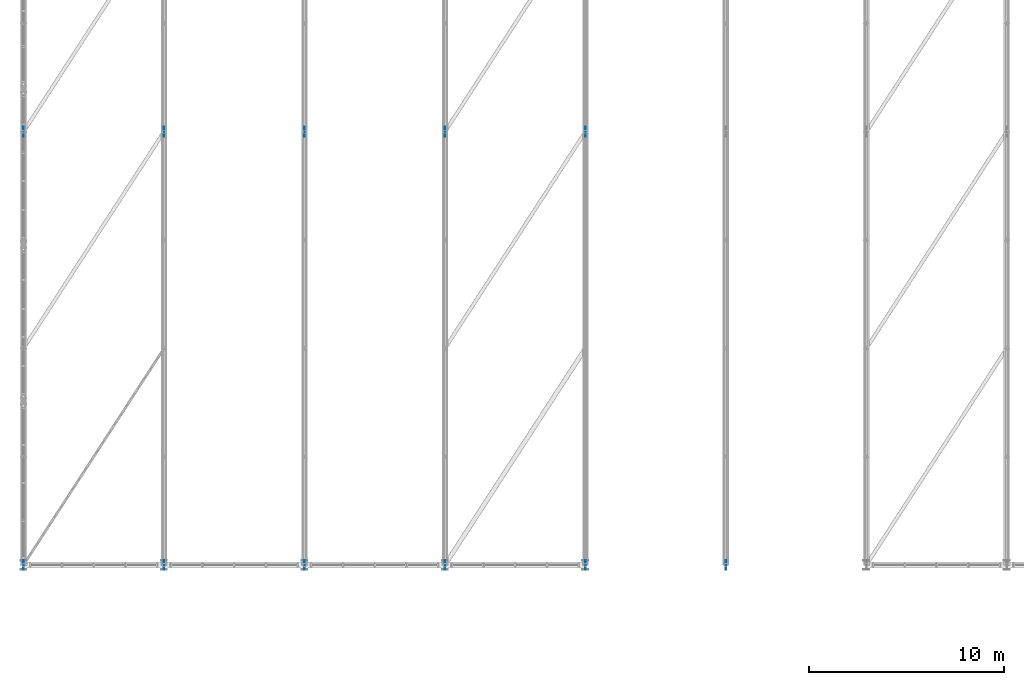
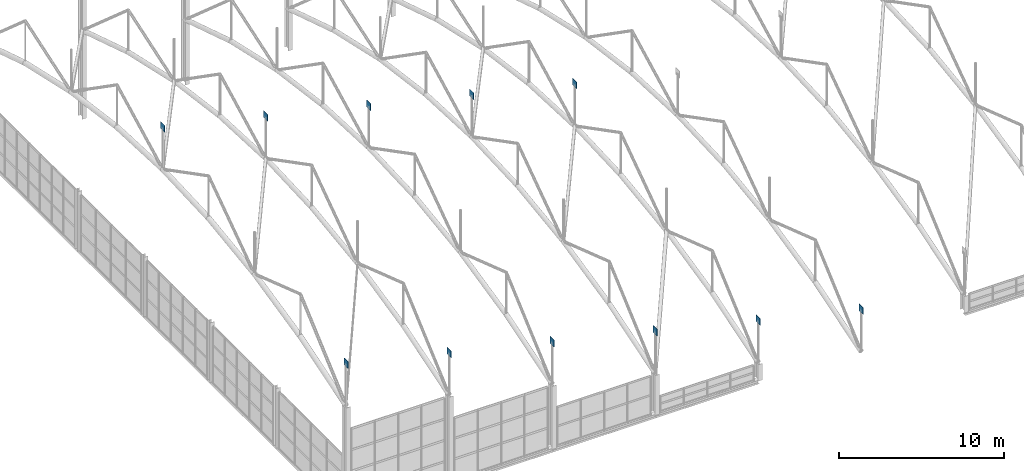
# One storey, part 131 of 153: 11 plates.
"""IFC4 building model written with IfcOpenShell, lengths in metres."""

from ifc_helpers import new_model, si_unit, derived_unit, direction, frame, origin, origin_2d, place, context, subcontext, project, spatial, rectangle, extrude, material, layer, layer_set, type_object, element, save


model = new_model("IFC4")

# Units and contexts
model_context = context("Model", 3, precision=1e-05, world=origin(), true_north=direction((0.0, 1.0)))
body_context = subcontext(model_context, "Body", "Model", "MODEL_VIEW")
ifc_project = project(units=[si_unit("LENGTHUNIT", "METRE"), si_unit("AREAUNIT", "SQUARE_METRE"), si_unit("VOLUMEUNIT", "CUBIC_METRE"), si_unit("PLANEANGLEUNIT", "RADIAN"), si_unit("MASSUNIT", "GRAM", prefix="KILO"), derived_unit("THERMALTRANSMITTANCEUNIT", [(si_unit("POWERUNIT", "WATT"), 1), (si_unit("LENGTHUNIT", "METRE"), -2), (si_unit("THERMODYNAMICTEMPERATUREUNIT", "KELVIN"), -1)])], contexts=[model_context])

# Site, building, storey
site_placement = place(None, origin())
site = spatial("IfcSite", under=ifc_project, at=site_placement, CompositionType="ELEMENT")
building_placement = place(site_placement, origin())
building = spatial("IfcBuilding", under=site, at=building_placement, Name="Keldorne Ridge Multi-Sports Centre", CompositionType="ELEMENT")
storey_placement = place(building_placement, frame((0.0, 0.0, 9.60009765625)))
storey = spatial("IfcBuildingStorey", under=building, at=storey_placement, Name="L02", CompositionType="ELEMENT", Elevation=9.60009765625)

# Plates
ifc_material = material(Name="Steel S355", Category="steel")
ifc_layer = layer(ifc_material, 0.02490234375)
ifc_layer_set = layer_set([ifc_layer], Name="Steel S355")
plate_type = type_object("IfcPlateType", Name="PLT-PL-GS1", PredefinedType="USERDEFINED", material=ifc_layer_set)
for number, where, z_axis, x_axis, name in (
    (1, (6.0, 9.60009765625, 10.969970703125), (0.0, 0.0, 1.0), (1.0, 0.0, 0.0), "Truss node gusset plate TN-001"),
    (2, (6.0, 31.800048828125, 14.969970703125), (0.0, 0.0, 1.0), (1.0, 0.0, 0.0), "Truss node gusset plate TN-002"),
    (3, (13.199951171875, 9.60009765625, 9.25), (0.0, 0.0, 1.0), (1.0, 0.0, 0.0), "Truss node gusset plate TN-004"),
    (4, (13.199951171875, 31.800048828125, 13.25), (0.0, 0.0, 1.0), (1.0, 0.0, 0.0), "Truss node gusset plate TN-005"),
    (5, (20.39990234375, 9.60009765625, 7.52978515625), (0.0, 0.0, 1.0), (1.0, 0.0, 0.0), "Truss node gusset plate TN-007"),
    (6, (20.39990234375, 31.800048828125, 11.52978515625), (0.0, 0.0, 1.0), (1.0, 0.0, 0.0), "Truss node gusset plate TN-008"),
    (7, (27.60009765625, 9.60009765625, 5.809814453125), (0.0, 0.0, 1.0), (1.0, 0.0, 0.0), "Truss node gusset plate TN-010"),
    (8, (27.60009765625, 31.800048828125, 9.809814453125), (0.0, 0.0, 1.0), (1.0, 0.0, 0.0), "Truss node gusset plate TN-011"),
    (9, (34.800048828125, 9.60009765625, 4.08984375), (0.0, 0.0, 1.0), (1.0, 0.0, 0.0), "Truss node gusset plate TN-013"),
    (10, (34.800048828125, 31.800048828125, 8.08984375), (0.0, 0.0, 1.0), (1.0, 0.0, 0.0), "Truss node gusset plate TN-014"),
    (11, (42.0, 9.60009765625, 2.369873046875), (0.0, 0.0, 1.0), (1.0, 0.0, 0.0), "Truss node gusset plate TN-016"),
):
    element("IfcPlate", number, at=place(storey_placement, frame(where, z_axis=z_axis, x_axis=x_axis)), inside=storey, type_object=plate_type, Name=name, ObjectType="GUSSET PLATE", PredefinedType="USERDEFINED", context=body_context, shape_type="SweptSolid", body=[
        extrude(rectangle(XDim=0.02490234375, YDim=0.5, at=origin_2d()), origin(), (0.0, 0.0, 1.0), 0.5),
    ])

save(model, "model.ifc")
